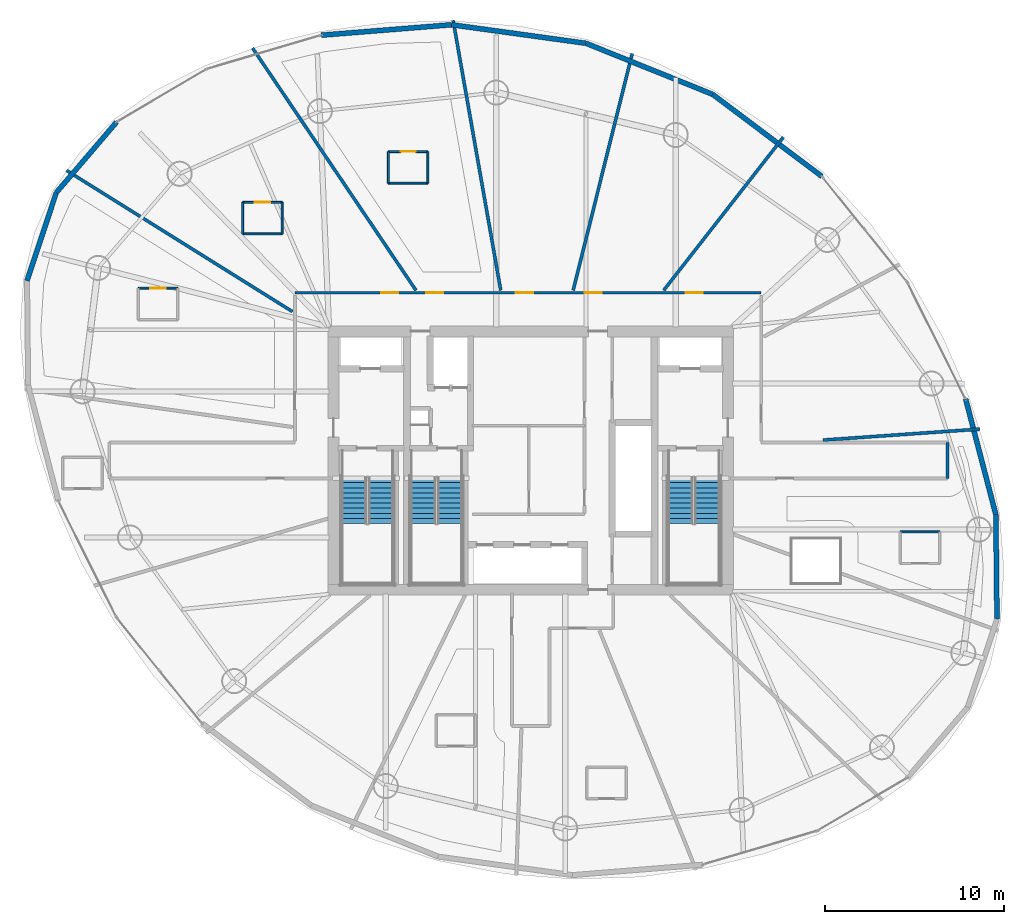
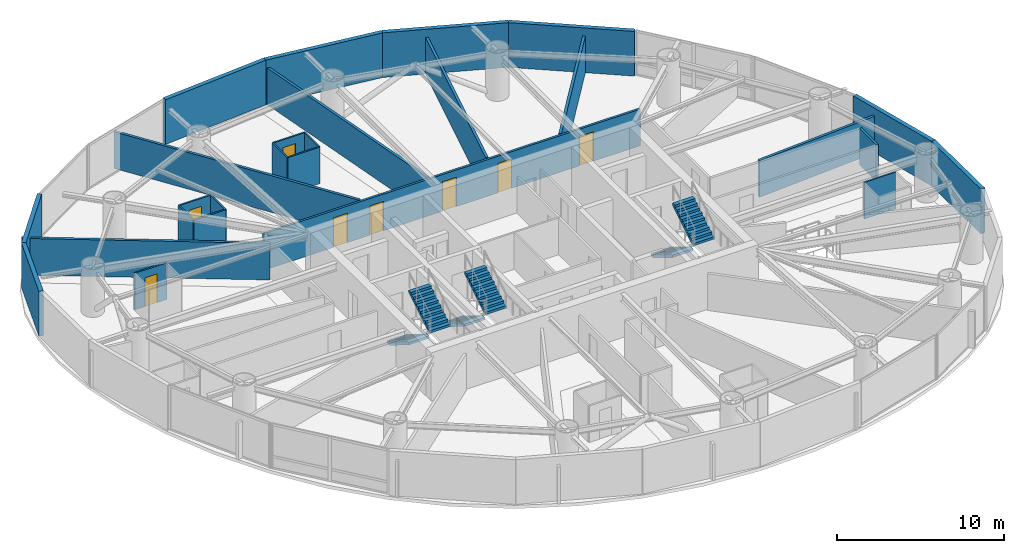
# One storey, part 20 of 24: 26 walls, 8 doors, 6 stair flights, 8 openings, 3 elements without a shape of their own.
"""IFC4 building model written with IfcOpenShell, lengths in metres."""

import ifcopenshell
import ifcopenshell.guid

model = None  # the IFC model being written
_history = None  # IfcOwnerHistory: only IFC2X3 demands one
_inside = {}  # id of a spatial element -> (the spatial element, [elements in it])
_under = {}  # id of a project, library or spatial element -> (it, [spatial elements below it])
_declared = {}  # id of a project -> (the project, [libraries it declares])
_typed = {}  # id of a type object -> (the type object, [elements of that type])
_made_of = {}  # id of a material, layer set ... -> (it, [elements and type objects made of it])


def new_model(schema):
    """Start an empty IFC model of exactly this schema.

    Asked for "IFC4X3", IfcOpenShell would pick the latest addendum, in which some entities
    have other attributes; the version numbers below select the first issue.
    IFC2X3 requires an IfcOwnerHistory on every rooted entity: one is made here for all.
    """
    global model, _history
    if schema == "IFC4X3":
        model = ifcopenshell.file(schema_version=(4, 3, 0, 0))
    else:
        model = ifcopenshell.file(schema=schema)
    _inside.clear()
    _under.clear()
    _declared.clear()
    _typed.clear()
    _made_of.clear()
    _history = None
    if model.schema == "IFC2X3":
        org = make("IfcOrganization", Name="unknown")
        user = make(
            "IfcPersonAndOrganization",
            ThePerson=make("IfcPerson", FamilyName="unknown"),
            TheOrganization=org,
        )
        app = make(
            "IfcApplication",
            ApplicationDeveloper=org,
            Version="unknown",
            ApplicationFullName="unknown",
            ApplicationIdentifier="unknown",
        )
        _history = make(
            "IfcOwnerHistory",
            OwningUser=user,
            OwningApplication=app,
            ChangeAction="ADDED",
            CreationDate=0,
        )
    return model


def make(cls, **values):
    """One entity of the class cls with the attributes given. An attribute that is None is left unset."""
    return model.create_entity(
        cls, **{name: value for name, value in values.items() if value is not None}
    )


def rooted(cls, **values):
    """An entity with a GlobalId (a new one), such as an element, a storey or a relation."""
    return make(cls, GlobalId=ifcopenshell.guid.new(), OwnerHistory=_history, **values)


def si_unit(unit_type, name, prefix=None):
    """IfcSIUnit, for example si_unit("LENGTHUNIT", "METRE", prefix="MILLI")."""
    return make("IfcSIUnit", UnitType=unit_type, Prefix=prefix, Name=name)


def assignment(units):
    """IfcUnitAssignment: the units of a project."""
    return None if units is None else make("IfcUnitAssignment", Units=units)


def point(xyz):
    """IfcCartesianPoint."""
    return None if xyz is None else make("IfcCartesianPoint", Coordinates=xyz)


def direction(xyz):
    """IfcDirection."""
    return None if xyz is None else make("IfcDirection", DirectionRatios=xyz)


def frame(location, z_axis=None, x_axis=None):
    """IfcAxis2Placement3D, a coordinate frame: its origin and axes. An axis left out is left unset."""
    return make(
        "IfcAxis2Placement3D",
        Location=point(location),
        Axis=direction(z_axis),
        RefDirection=direction(x_axis),
    )


def frame_2d(location, x_axis=None):
    """IfcAxis2Placement2D, a coordinate frame in the plane: its origin and x axis."""
    return make(
        "IfcAxis2Placement2D", Location=point(location), RefDirection=direction(x_axis)
    )


def origin():
    """The frame at (0, 0, 0) with its axes left unset."""
    return frame((0.0, 0.0, 0.0))


def place(relative_to, where):
    """IfcLocalPlacement: puts the frame where relative to a parent placement (None: the world)."""
    return make(
        "IfcLocalPlacement", PlacementRelTo=relative_to, RelativePlacement=where
    )


def context(
    kind, dimensions, precision=None, world=None, true_north=None, identifier=None
):
    """IfcGeometricRepresentationContext, for example the 3D "Model" context."""
    return make(
        "IfcGeometricRepresentationContext",
        ContextIdentifier=identifier,
        ContextType=kind,
        CoordinateSpaceDimension=dimensions,
        Precision=precision,
        WorldCoordinateSystem=world,
        TrueNorth=true_north,
    )


def subcontext(parent, identifier, kind, view, scale=None):
    """IfcGeometricRepresentationSubContext, for example "Body" below "Model"."""
    return make(
        "IfcGeometricRepresentationSubContext",
        ContextIdentifier=identifier,
        ContextType=kind,
        ParentContext=parent,
        TargetScale=scale,
        TargetView=view,
    )


def project(units=None, contexts=None):
    """IfcProject with its units and contexts."""
    return rooted(
        "IfcProject",
        Name="project",
        RepresentationContexts=contexts,
        UnitsInContext=assignment(units),
    )


def spatial(cls, under=None, at=None, **own):
    """A site, building, storey or space (cls), placed at a placement, below another one or the project."""
    s = rooted(cls, ObjectPlacement=at, **own)
    if under is not None:
        _under.setdefault(under.id(), (under, []))[1].append(s)
    return s


def polyline(points):
    """IfcPolyline through the points."""
    return make("IfcPolyline", Points=[point(p) for p in points])


def profile(cls, at=None, kind="AREA", **sizes):
    """A parametric profile (cls). Its sizes go by their IFC names, for example OverallWidth=200.0."""
    return make(cls, ProfileType=kind, Position=at, **sizes)


def rectangle(**sizes):
    """IfcRectangleProfileDef."""
    return profile("IfcRectangleProfileDef", **sizes)


def outline(outer, holes=None, kind="AREA"):
    """IfcArbitraryClosedProfileDef: a profile drawn as a closed curve; with holes, ...WithVoids."""
    if holes is None:
        return make("IfcArbitraryClosedProfileDef", ProfileType=kind, OuterCurve=outer)
    return make(
        "IfcArbitraryProfileDefWithVoids",
        ProfileType=kind,
        OuterCurve=outer,
        InnerCurves=holes,
    )


def extrude(swept, where, along, depth):
    """IfcExtrudedAreaSolid: the profile swept, set in the frame where, extruded along a direction by depth."""
    return make(
        "IfcExtrudedAreaSolid",
        SweptArea=swept,
        Position=where,
        ExtrudedDirection=direction(along),
        Depth=depth,
    )


def shape(context_of_items, identifier, shape_type, items):
    """IfcShapeRepresentation: the items that make up one representation, for example the "Body"."""
    return make(
        "IfcShapeRepresentation",
        ContextOfItems=context_of_items,
        RepresentationIdentifier=identifier,
        RepresentationType=shape_type,
        Items=items,
    )


def material(Name=None, Category=None):
    """IfcMaterial."""
    return make("IfcMaterial", Name=Name, Category=Category)


def layer(
    of_material, thickness, ventilated=None, Name=None, Category=None, Priority=None
):
    """IfcMaterialLayer: one layer of a wall or slab, of a material (None: an air gap)."""
    return make(
        "IfcMaterialLayer",
        Material=of_material,
        LayerThickness=thickness,
        IsVentilated=ventilated,
        Name=Name,
        Category=Category,
        Priority=Priority,
    )


def layer_set(layers, Name=None):
    """IfcMaterialLayerSet."""
    return make("IfcMaterialLayerSet", MaterialLayers=layers, LayerSetName=Name)


def made_of(thing, what):
    """Note that an element or type object is made of a material, layer set ...; save() writes the relation."""
    if what is not None:
        _made_of.setdefault(what.id(), (what, []))[1].append(thing)
    return thing


def type_object(cls, material=None, **own):
    """A type object (cls), such as IfcWallType, which elements share."""
    return made_of(rooted(cls, **own), material)


def element(
    cls,
    number,
    at=None,
    inside=None,
    cuts=None,
    type_object=None,
    material=None,
    context=None,
    identifier="Body",
    shape_type=None,
    held_by="IfcProductDefinitionShape",
    body=None,
    shapes=None,
    **own,
):
    """One element of the class cls, such as IfcWall. Its Tag is "e" and its number.

    at: its placement. inside: the storey or other place that contains it. cuts: it is an
    opening in that element (IfcRelVoidsElement). A single representation is given by context,
    identifier, shape_type and body (its items); several are given by shapes. held_by: the class
    of the entity that holds the representations. save() writes the other relations.
    """
    e = rooted(cls, Tag="e%d" % number, ObjectPlacement=at, **own)
    if body is not None:
        shapes = [shape(context, identifier, shape_type, body)]
    if shapes is not None:
        e.Representation = make(held_by, Representations=shapes)
    if inside is not None:
        _inside.setdefault(inside.id(), (inside, []))[1].append(e)
    if cuts is not None:
        rooted(
            "IfcRelVoidsElement", RelatingBuildingElement=cuts, RelatedOpeningElement=e
        )
    if type_object is not None:
        _typed.setdefault(type_object.id(), (type_object, []))[1].append(e)
    return made_of(e, material)


def fill(opening, filler):
    """IfcRelFillsElement: the door or window that sits in an opening."""
    return rooted(
        "IfcRelFillsElement",
        RelatingOpeningElement=opening,
        RelatedBuildingElement=filler,
    )


def aggregate(whole, parts):
    """IfcRelAggregates: a whole, such as a stair, and the parts it consists of."""
    return rooted("IfcRelAggregates", RelatingObject=whole, RelatedObjects=parts)


def save(model, path):
    """Write the relations noted so far, then the file.

    IfcRelAggregates (storeys below a building ...), IfcRelContainedInSpatialStructure (elements
    in a storey), IfcRelDefinesByType, IfcRelAssociatesMaterial and IfcRelDeclares: one each for
    every whole, place, type object, material and project.
    """
    for whole, parts in _under.values():
        aggregate(whole, parts)
    for where, things in _inside.values():
        rooted(
            "IfcRelContainedInSpatialStructure",
            RelatedElements=things,
            RelatingStructure=where,
        )
    for kind, things in _typed.values():
        rooted("IfcRelDefinesByType", RelatedObjects=things, RelatingType=kind)
    for what, things in _made_of.values():
        rooted("IfcRelAssociatesMaterial", RelatedObjects=things, RelatingMaterial=what)
    for by, libraries in _declared.values():
        rooted("IfcRelDeclares", RelatingContext=by, RelatedDefinitions=libraries)
    model.write(path)


model = new_model("IFC4")

# Units and contexts
model_context = context("Model", 3, precision=1e-05, world=origin(), true_north=direction((0.0, 1.0)))
body_context = subcontext(model_context, "Body", "Model", "MODEL_VIEW")
ifc_project = project(units=[si_unit("LENGTHUNIT", "METRE"), si_unit("AREAUNIT", "SQUARE_METRE"), si_unit("VOLUMEUNIT", "CUBIC_METRE"), si_unit("PLANEANGLEUNIT", "RADIAN"), si_unit("MASSUNIT", "GRAM", prefix="KILO")], contexts=[model_context])

# Site, building, storey
site_placement = place(None, origin())
site = spatial("IfcSite", under=ifc_project, at=site_placement, CompositionType="ELEMENT")
building_placement = place(site_placement, origin())
building = spatial("IfcBuilding", under=site, at=building_placement, Name="Bramvorn Convention Spire", CompositionType="ELEMENT")
storey_placement = place(building_placement, frame((0.0, 0.0, 148.300048828125)))
storey = spatial("IfcBuildingStorey", under=building, at=storey_placement, Name="L37", CompositionType="ELEMENT", Elevation=148.300048828125)

# Walls
ifc_material_1 = material(Name="Precast Concrete C40/50 with Bronze Terracotta Rainscreen", Category="masonry")
ifc_layer_1 = layer(ifc_material_1, 0.300048828125)
ifc_layer_set_1 = layer_set([ifc_layer_1], Name="Precast Concrete C40/50 with Bronze Terracotta Rainscreen - WL-EXT-BRONZE-300")
wall_type_1 = type_object("IfcWallType", Name="WL-EXT-BRONZE-300", PredefinedType="SOLIDWALL", material=ifc_layer_set_1)
wall_1_placement = place(storey_placement, frame((63.935302734375, 22.976318359375, 0.0), z_axis=(0.0, 0.0, 1.0), x_axis=(0.010314349205, -0.999946805685, 0.0)))
element("IfcWall", 1, at=wall_1_placement, inside=storey, type_object=wall_type_1, Name="L37 expressed bronze Gothic lancet pier wall 02", PredefinedType="SOLIDWALL", context=body_context, shape_type="SweptSolid", body=[
    extrude(rectangle(XDim=5.82275390625, YDim=0.280029296875, at=frame_2d((2.911376953125, 0.0))), origin(), (0.0, 0.0, 1.0), 3.260009765625),
])
wall_2_placement = place(storey_placement, frame((62.2509765625, 29.425048828125, 0.0), z_axis=(0.0, 0.0, 1.0), x_axis=(0.252709673809, -0.967542154515, 0.0)))
element("IfcWall", 2, at=wall_2_placement, inside=storey, type_object=wall_type_1, Name="L37 expressed bronze Gothic lancet pier wall 03", PredefinedType="SOLIDWALL", context=body_context, shape_type="SweptSolid", body=[
    extrude(rectangle(XDim=6.6650390625, YDim=0.280029296875, at=frame_2d((3.33251953125, 0.0))), origin(), (0.0, 0.0, 1.0), 3.260009765625),
])
wall_3_placement = place(storey_placement, frame((48.1484375, 46.41455078125, 0.0), z_axis=(0.0, 0.0, 1.0), x_axis=(0.799187740933, -0.601081487606, 0.0)))
element("IfcWall", 3, at=wall_3_placement, inside=storey, type_object=wall_type_1, Name="L37 expressed bronze Gothic lancet pier wall 06", PredefinedType="SOLIDWALL", context=body_context, shape_type="SweptSolid", body=[
    extrude(rectangle(XDim=7.6171875, YDim=0.280029296875, at=frame_2d((3.80859375, 0.0))), origin(), (0.0, 0.0, 1.0), 3.260009765625),
])
wall_4_placement = place(storey_placement, frame((41.083251953125, 49.26220703125, 0.0), z_axis=(0.0, 0.0, 1.0), x_axis=(0.927496504314, -0.373831826474, 0.0)))
element("IfcWall", 4, at=wall_4_placement, inside=storey, type_object=wall_type_1, Name="L37 expressed bronze Gothic lancet pier wall 07", PredefinedType="SOLIDWALL", context=body_context, shape_type="SweptSolid", body=[
    extrude(rectangle(XDim=7.617431640625, YDim=0.280029296875, at=frame_2d((3.80859375, 0.0))), origin(), (0.0, 0.0, 1.0), 3.260009765625),
])
wall_5_placement = place(storey_placement, frame((33.585205078125, 50.296142578125, 0.0), z_axis=(0.0, 0.0, 1.0), x_axis=(0.99062609674, -0.136601377953, 0.0)))
element("IfcWall", 5, at=wall_5_placement, inside=storey, type_object=wall_type_1, Name="L37 expressed bronze Gothic lancet pier wall 08", PredefinedType="SOLIDWALL", context=body_context, shape_type="SweptSolid", body=[
    extrude(rectangle(XDim=7.569091796875, YDim=0.280029296875, at=frame_2d((3.78466796875, 0.0))), origin(), (0.0, 0.0, 1.0), 3.260009765625),
])
wall_6_placement = place(storey_placement, frame((26.31640625, 49.71435546875, 0.0), z_axis=(0.0, 0.0, 1.0), x_axis=(0.996812190565, 0.079783812519, 0.0)))
element("IfcWall", 6, at=wall_6_placement, inside=storey, type_object=wall_type_1, Name="L37 expressed bronze Gothic lancet pier wall 09", PredefinedType="SOLIDWALL", context=body_context, shape_type="SweptSolid", body=[
    extrude(rectangle(XDim=7.2919921875, YDim=0.280029296875, at=frame_2d((3.64599609375, 0.0))), origin(), (0.0, 0.0, 1.0), 3.260009765625),
])
for number, where, z_axis, x_axis, name in (
    (7, (11.54541015625, 40.936767578125, 0.0), (0.0, 0.0, 1.0), (0.649846662097, 0.760065336508, 0.0), "L37 expressed bronze Gothic lancet pier wall 12"),
    (8, (9.914794921875, 36.026123046875, 0.0), (0.0, 0.0, 1.0), (0.315137621835, 0.949045983767, 0.0), "L37 expressed bronze Gothic lancet pier wall 13"),
):
    element("IfcWall", number, at=place(storey_placement, frame(where, z_axis=z_axis, x_axis=x_axis)), inside=storey, type_object=wall_type_1, Name=name, PredefinedType="SOLIDWALL", context=body_context, shape_type="SweptSolid", body=[
        extrude(rectangle(XDim=5.17431640625, YDim=0.280029296875, at=frame_2d((2.587158203125, 0.0))), origin(), (0.0, 0.0, 1.0), 3.260009765625),
    ])
ifc_material_2 = material(Name="Lightweight En-Suite & Wet-Wall Partition", Category="gypsum")
ifc_layer_2 = layer(ifc_material_2, 0.110107421875)
ifc_layer_set_2 = layer_set([ifc_layer_2], Name="Lightweight En-Suite & Wet-Wall Partition - WL-PART-110")
wall_type_2 = type_object("IfcWallType", Name="WL-PART-110", PredefinedType="PARTITIONING", material=ifc_layer_set_2)
wall_7_placement = place(storey_placement, frame((30.0595703125, 41.468505859375, 0.0), z_axis=(0.0, 0.0, 1.0), x_axis=(1.0, 0.0, 0.0)))
element("IfcWall", 9, at=wall_7_placement, inside=storey, type_object=wall_type_2, Name="Hotel Suite 3705 en-suite south wall", PredefinedType="PARTITIONING", context=body_context, shape_type="SweptSolid", body=[
    extrude(rectangle(XDim=2.199951171875, YDim=0.110107421875, at=frame_2d((1.10009765625, 0.0))), origin(), (0.0, 0.0, 1.0), 2.675048828125),
])

# Wall, opening, door
wall_8_placement = place(storey_placement, frame((30.0595703125, 43.228515625, 0.0), z_axis=(0.0, 0.0, 1.0), x_axis=(1.0, 0.0, 0.0)))
wall_8 = element("IfcWall", 10, at=wall_8_placement, inside=storey, type_object=wall_type_2, Name="Hotel Suite 3705 en-suite north wall", PredefinedType="PARTITIONING", context=body_context, shape_type="SweptSolid", body=[
    extrude(rectangle(XDim=2.199951171875, YDim=0.110107421875, at=frame_2d((1.10009765625, 0.0))), origin(), (0.0, 0.0, 1.0), 2.675048828125),
])
opening_1_placement = place(wall_8_placement, frame((0.679931640625, 0.0, 0.0)))
opening_1 = element("IfcOpeningElement", 11, at=opening_1_placement, cuts=wall_8, Name="Opening DI-085", PredefinedType="OPENING", context=body_context, shape_type="SweptSolid", body=[
    extrude(rectangle(XDim=0.85009765625, YDim=2.10009765625, at=frame_2d((0.425048828125, 1.050048828125))), frame((0.0, 0.06494140625, 0.0), z_axis=(0.0, -1.0, 0.0), x_axis=(1.0, 0.0, 0.0)), (0.0, 0.0, 1.0), 0.130126953125),
])
ifc_material_3 = material(Name="En-Suite & Restroom Privacy Door", Category="wood")
door_type_1 = type_object("IfcDoorType", Name="DR-INT-850", OperationType="NOTDEFINED", PredefinedType="DOOR", material=ifc_material_3)
door_1_placement = place(opening_1_placement, origin())
door_1 = element("IfcDoor", 12, at=door_1_placement, inside=storey, type_object=door_type_1, Name="Hotel Suite 3705 En-Suite Bathroom door", OperationType="SINGLE_SWING_LEFT", OverallHeight=2.10009765625, OverallWidth=0.85009765625, PredefinedType="DOOR", context=body_context, shape_type="SweptSolid", body=[
    extrude(rectangle(XDim=0.85009765625, YDim=2.10009765625, at=frame_2d((0.425048828125, 1.050048828125))), frame((0.0, 0.02490234375, 0.0), z_axis=(0.0, -1.0, 0.0), x_axis=(1.0, 0.0, 0.0)), (0.0, 0.0, 1.0), 0.050048828125),
])
fill(opening_1, door_1)

# Walls
for number, where, z_axis, x_axis, name in (
    (13, (30.0595703125, 41.468505859375, 0.0), (0.0, 0.0, 1.0), (0.0, 1.0, 0.0), "Hotel Suite 3705 en-suite west wall"),
    (14, (32.259521484375, 41.468505859375, 0.0), (0.0, 0.0, 1.0), (0.0, 1.0, 0.0), "Hotel Suite 3705 en-suite east wall"),
):
    element("IfcWall", number, at=place(storey_placement, frame(where, z_axis=z_axis, x_axis=x_axis)), inside=storey, type_object=wall_type_2, Name=name, PredefinedType="PARTITIONING", context=body_context, shape_type="SweptSolid", body=[
        extrude(rectangle(XDim=1.760009765625, YDim=0.110107421875, at=frame_2d((0.8798828125, 0.0))), origin(), (0.0, 0.0, 1.0), 2.675048828125),
    ])
wall_9_placement = place(storey_placement, frame((21.941162109375, 38.630615234375, 0.0), z_axis=(0.0, 0.0, 1.0), x_axis=(1.0, 0.0, 0.0)))
element("IfcWall", 15, at=wall_9_placement, inside=storey, type_object=wall_type_2, Name="Hotel Suite 3706 en-suite south wall", PredefinedType="PARTITIONING", context=body_context, shape_type="SweptSolid", body=[
    extrude(rectangle(XDim=2.199951171875, YDim=0.110107421875, at=frame_2d((1.10009765625, 0.0))), origin(), (0.0, 0.0, 1.0), 2.675048828125),
])

# Wall, opening, door
wall_10_placement = place(storey_placement, frame((21.941162109375, 40.390625, 0.0), z_axis=(0.0, 0.0, 1.0), x_axis=(1.0, 0.0, 0.0)))
wall_10 = element("IfcWall", 16, at=wall_10_placement, inside=storey, type_object=wall_type_2, Name="Hotel Suite 3706 en-suite north wall", PredefinedType="PARTITIONING", context=body_context, shape_type="SweptSolid", body=[
    extrude(rectangle(XDim=2.199951171875, YDim=0.110107421875, at=frame_2d((1.10009765625, 0.0))), origin(), (0.0, 0.0, 1.0), 2.675048828125),
])
opening_2_placement = place(wall_10_placement, frame((0.679931640625, 0.0, 0.0)))
opening_2 = element("IfcOpeningElement", 17, at=opening_2_placement, cuts=wall_10, Name="Opening DI-085", PredefinedType="OPENING", context=body_context, shape_type="SweptSolid", body=[
    extrude(rectangle(XDim=0.85009765625, YDim=2.10009765625, at=frame_2d((0.425048828125, 1.050048828125))), frame((0.0, 0.06494140625, 0.0), z_axis=(0.0, -1.0, 0.0), x_axis=(1.0, 0.0, 0.0)), (0.0, 0.0, 1.0), 0.130126953125),
])
door_2_placement = place(opening_2_placement, origin())
door_2 = element("IfcDoor", 18, at=door_2_placement, inside=storey, type_object=door_type_1, Name="Hotel Suite 3706 En-Suite Bathroom door", OperationType="SINGLE_SWING_LEFT", OverallHeight=2.10009765625, OverallWidth=0.85009765625, PredefinedType="DOOR", context=body_context, shape_type="SweptSolid", body=[
    extrude(rectangle(XDim=0.85009765625, YDim=2.10009765625, at=frame_2d((0.425048828125, 1.050048828125))), frame((0.0, 0.02490234375, 0.0), z_axis=(0.0, -1.0, 0.0), x_axis=(1.0, 0.0, 0.0)), (0.0, 0.0, 1.0), 0.050048828125),
])
fill(opening_2, door_2)

# Walls
for number, where, z_axis, x_axis, name in (
    (19, (21.941162109375, 38.630615234375, 0.0), (0.0, 0.0, 1.0), (0.0, 1.0, 0.0), "Hotel Suite 3706 en-suite west wall"),
    (20, (24.14111328125, 38.630615234375, 0.0), (0.0, 0.0, 1.0), (0.0, 1.0, 0.0), "Hotel Suite 3706 en-suite east wall"),
):
    element("IfcWall", number, at=place(storey_placement, frame(where, z_axis=z_axis, x_axis=x_axis)), inside=storey, type_object=wall_type_2, Name=name, PredefinedType="PARTITIONING", context=body_context, shape_type="SweptSolid", body=[
        extrude(rectangle(XDim=1.760009765625, YDim=0.110107421875, at=frame_2d((0.8798828125, 0.0))), origin(), (0.0, 0.0, 1.0), 2.675048828125),
    ])

# Wall, opening, door
wall_11_placement = place(storey_placement, frame((16.11669921875, 35.61376953125, 0.0), z_axis=(0.0, 0.0, 1.0), x_axis=(1.0, 0.0, 0.0)))
wall_11 = element("IfcWall", 21, at=wall_11_placement, inside=storey, type_object=wall_type_2, Name="Hotel Suite 3707 en-suite north wall", PredefinedType="PARTITIONING", context=body_context, shape_type="SweptSolid", body=[
    extrude(rectangle(XDim=2.2001953125, YDim=0.110107421875, at=frame_2d((1.10009765625, 0.0))), origin(), (0.0, 0.0, 1.0), 2.675048828125),
])
opening_3_placement = place(wall_11_placement, frame((0.679931640625, 0.0, 0.0)))
opening_3 = element("IfcOpeningElement", 22, at=opening_3_placement, cuts=wall_11, Name="Opening DI-085", PredefinedType="OPENING", context=body_context, shape_type="SweptSolid", body=[
    extrude(rectangle(XDim=0.85009765625, YDim=2.10009765625, at=frame_2d((0.425048828125, 1.050048828125))), frame((0.0, 0.06494140625, 0.0), z_axis=(0.0, -1.0, 0.0), x_axis=(1.0, 0.0, 0.0)), (0.0, 0.0, 1.0), 0.130126953125),
])
door_3_placement = place(opening_3_placement, origin())
door_3 = element("IfcDoor", 23, at=door_3_placement, inside=storey, type_object=door_type_1, Name="Hotel Suite 3707 En-Suite Bathroom door", OperationType="SINGLE_SWING_LEFT", OverallHeight=2.10009765625, OverallWidth=0.85009765625, PredefinedType="DOOR", context=body_context, shape_type="SweptSolid", body=[
    extrude(rectangle(XDim=0.85009765625, YDim=2.10009765625, at=frame_2d((0.425048828125, 1.050048828125))), frame((0.0, 0.02490234375, 0.0), z_axis=(0.0, -1.0, 0.0), x_axis=(1.0, 0.0, 0.0)), (0.0, 0.0, 1.0), 0.050048828125),
])
fill(opening_3, door_3)

# Wall
wall_12_placement = place(storey_placement, frame((58.593505859375, 22.017578125, 0.0), z_axis=(0.0, 0.0, 1.0), x_axis=(1.0, 0.0, 0.0)))
element("IfcWall", 24, at=wall_12_placement, inside=storey, type_object=wall_type_2, Name="Hotel Suite 3715 en-suite north wall", PredefinedType="PARTITIONING", context=body_context, shape_type="SweptSolid", body=[
    extrude(rectangle(XDim=2.199951171875, YDim=0.110107421875, at=frame_2d((1.10009765625, 0.0))), origin(), (0.0, 0.0, 1.0), 2.675048828125),
])

# Wall, openings, doors
ifc_material_4 = material(Name="Acoustic Metal-Stud Tenant/Corridor Partition", Category="gypsum")
ifc_layer_3 = layer(ifc_material_4, 0.14990234375)
ifc_layer_set_3 = layer_set([ifc_layer_3], Name="Acoustic Metal-Stud Tenant/Corridor Partition - WL-PART-150")
wall_type_3 = type_object("IfcWallType", Name="WL-PART-150", PredefinedType="PARTITIONING", material=ifc_layer_set_3)
wall_13_placement = place(storey_placement, frame((24.85009765625, 35.35009765625, 0.0), z_axis=(0.0, 0.0, 1.0), x_axis=(1.0, 0.0, 0.0)))
wall_13 = element("IfcWall", 25, at=wall_13_placement, inside=storey, type_object=wall_type_3, Name="L37 North gallery wall", PredefinedType="PARTITIONING", context=body_context, shape_type="SweptSolid", body=[
    extrude(rectangle(XDim=26.0, YDim=0.14990234375, at=frame_2d((13.0, 0.0))), origin(), (0.0, 0.0, 1.0), 2.675048828125),
])
opening_4_placement = place(wall_13_placement, frame((21.7890625, 0.0, 0.0)))
opening_4 = element("IfcOpeningElement", 26, at=opening_4_placement, cuts=wall_13, Name="Opening DH-095", PredefinedType="OPENING", context=body_context, shape_type="SweptSolid", body=[
    extrude(rectangle(XDim=0.949951171875, YDim=2.14990234375, at=frame_2d((0.47509765625, 1.074951171875))), frame((0.0, 0.0849609375, 0.0), z_axis=(0.0, -1.0, 0.0), x_axis=(1.0, 0.0, 0.0)), (0.0, 0.0, 1.0), 0.169921875),
])
opening_5_placement = place(wall_13_placement, frame((16.1513671875, 0.0, 0.0)))
opening_5 = element("IfcOpeningElement", 27, at=opening_5_placement, cuts=wall_13, Name="Opening DH-095", PredefinedType="OPENING", context=body_context, shape_type="SweptSolid", body=[
    extrude(rectangle(XDim=0.949951171875, YDim=2.14990234375, at=frame_2d((0.47509765625, 1.074951171875))), frame((0.0, 0.0849609375, 0.0), z_axis=(0.0, -1.0, 0.0), x_axis=(1.0, 0.0, 0.0)), (0.0, 0.0, 1.0), 0.169921875),
])
opening_6_placement = place(wall_13_placement, frame((12.326904296875, 0.0, 0.0)))
opening_6 = element("IfcOpeningElement", 28, at=opening_6_placement, cuts=wall_13, Name="Opening DH-095", PredefinedType="OPENING", context=body_context, shape_type="SweptSolid", body=[
    extrude(rectangle(XDim=0.949951171875, YDim=2.14990234375, at=frame_2d((0.47509765625, 1.074951171875))), frame((0.0, 0.0849609375, 0.0), z_axis=(0.0, -1.0, 0.0), x_axis=(1.0, 0.0, 0.0)), (0.0, 0.0, 1.0), 0.169921875),
])
opening_7_placement = place(wall_13_placement, frame((7.312255859375, 0.0, 0.0)))
opening_7 = element("IfcOpeningElement", 29, at=opening_7_placement, cuts=wall_13, Name="Opening DH-095", PredefinedType="OPENING", context=body_context, shape_type="SweptSolid", body=[
    extrude(rectangle(XDim=0.949951171875, YDim=2.14990234375, at=frame_2d((0.47509765625, 1.074951171875))), frame((0.0, 0.0849609375, 0.0), z_axis=(0.0, -1.0, 0.0), x_axis=(1.0, 0.0, 0.0)), (0.0, 0.0, 1.0), 0.169921875),
])
opening_8_placement = place(wall_13_placement, frame((4.819091796875, 0.0, 0.0)))
opening_8 = element("IfcOpeningElement", 30, at=opening_8_placement, cuts=wall_13, Name="Opening DH-095", PredefinedType="OPENING", context=body_context, shape_type="SweptSolid", body=[
    extrude(rectangle(XDim=0.949951171875, YDim=2.14990234375, at=frame_2d((0.47509765625, 1.074951171875))), frame((0.0, 0.0849609375, 0.0), z_axis=(0.0, -1.0, 0.0), x_axis=(1.0, 0.0, 0.0)), (0.0, 0.0, 1.0), 0.169921875),
])
ifc_material_5 = material(Name="Solid-Core Acoustic Guestroom Entry Door", Category="wood")
door_type_2 = type_object("IfcDoorType", Name="DR-HOTEL-950", OperationType="NOTDEFINED", PredefinedType="DOOR", material=ifc_material_5)
door_4_placement = place(opening_4_placement, origin())
door_4 = element("IfcDoor", 31, at=door_4_placement, inside=storey, type_object=door_type_2, Name="L37 Hospitality Lounge 2 door", OperationType="SINGLE_SWING_RIGHT", OverallHeight=2.14990234375, OverallWidth=0.949951171875, PredefinedType="DOOR", context=body_context, shape_type="SweptSolid", body=[
    extrude(rectangle(XDim=0.949951171875, YDim=2.14990234375, at=frame_2d((0.47509765625, 1.074951171875))), frame((0.0, 0.02490234375, 0.0), z_axis=(0.0, -1.0, 0.0), x_axis=(1.0, 0.0, 0.0)), (0.0, 0.0, 1.0), 0.050048828125),
])
fill(opening_4, door_4)
door_5_placement = place(opening_5_placement, origin())
door_5 = element("IfcDoor", 32, at=door_5_placement, inside=storey, type_object=door_type_2, Name="L37 Hospitality Lounge 3 door", OperationType="SINGLE_SWING_RIGHT", OverallHeight=2.14990234375, OverallWidth=0.949951171875, PredefinedType="DOOR", context=body_context, shape_type="SweptSolid", body=[
    extrude(rectangle(XDim=0.949951171875, YDim=2.14990234375, at=frame_2d((0.47509765625, 1.074951171875))), frame((0.0, 0.02490234375, 0.0), z_axis=(0.0, -1.0, 0.0), x_axis=(1.0, 0.0, 0.0)), (0.0, 0.0, 1.0), 0.050048828125),
])
fill(opening_5, door_5)
door_6_placement = place(opening_6_placement, origin())
door_6 = element("IfcDoor", 33, at=door_6_placement, inside=storey, type_object=door_type_2, Name="L37 Hospitality Lounge 4 door", OperationType="SINGLE_SWING_RIGHT", OverallHeight=2.14990234375, OverallWidth=0.949951171875, PredefinedType="DOOR", context=body_context, shape_type="SweptSolid", body=[
    extrude(rectangle(XDim=0.949951171875, YDim=2.14990234375, at=frame_2d((0.47509765625, 1.074951171875))), frame((0.0, 0.02490234375, 0.0), z_axis=(0.0, -1.0, 0.0), x_axis=(1.0, 0.0, 0.0)), (0.0, 0.0, 1.0), 0.050048828125),
])
fill(opening_6, door_6)
door_7_placement = place(opening_7_placement, origin())
door_7 = element("IfcDoor", 34, at=door_7_placement, inside=storey, type_object=door_type_2, Name="Hotel Suite 3705 entry door", OperationType="SINGLE_SWING_RIGHT", OverallHeight=2.14990234375, OverallWidth=0.949951171875, PredefinedType="DOOR", context=body_context, shape_type="SweptSolid", body=[
    extrude(rectangle(XDim=0.949951171875, YDim=2.14990234375, at=frame_2d((0.47509765625, 1.074951171875))), frame((0.0, 0.02490234375, 0.0), z_axis=(0.0, -1.0, 0.0), x_axis=(1.0, 0.0, 0.0)), (0.0, 0.0, 1.0), 0.050048828125),
])
fill(opening_7, door_7)
door_8_placement = place(opening_8_placement, origin())
door_8 = element("IfcDoor", 35, at=door_8_placement, inside=storey, type_object=door_type_2, Name="Hotel Suite 3706 entry door", OperationType="SINGLE_SWING_RIGHT", OverallHeight=2.14990234375, OverallWidth=0.949951171875, PredefinedType="DOOR", context=body_context, shape_type="SweptSolid", body=[
    extrude(rectangle(XDim=0.949951171875, YDim=2.14990234375, at=frame_2d((0.47509765625, 1.074951171875))), frame((0.0, 0.02490234375, 0.0), z_axis=(0.0, -1.0, 0.0), x_axis=(1.0, 0.0, 0.0)), (0.0, 0.0, 1.0), 0.050048828125),
])
fill(opening_8, door_8)

# Walls
wall_14_placement = place(storey_placement, frame((61.24072265625, 25.0, 0.0), z_axis=(0.0, 0.0, 1.0), x_axis=(0.0, 1.0, 0.0)))
element("IfcWall", 36, at=wall_14_placement, inside=storey, type_object=wall_type_3, Name="L37 East wing spine end wall", PredefinedType="PARTITIONING", context=body_context, shape_type="SweptSolid", body=[
    extrude(rectangle(XDim=2.0, YDim=0.14990234375, at=frame_2d((1.0, 0.0))), origin(), (0.0, 0.0, 1.0), 2.675048828125),
])
ifc_material_6 = material(Name="Double-Stud Acoustic Hotel/Suite Partition", Category="gypsum")
ifc_layer_4 = layer(ifc_material_6, 0.175048828125)
ifc_layer_set_4 = layer_set([ifc_layer_4], Name="Double-Stud Acoustic Hotel/Suite Partition - WL-PART-175")
wall_type_4 = type_object("IfcWallType", Name="WL-PART-175", PredefinedType="PARTITIONING", material=ifc_layer_set_4)
wall_15_placement = place(storey_placement, frame((54.302734375, 27.139892578125, 0.0), z_axis=(0.0, 0.0, 1.0), x_axis=(0.997562576326, 0.069777548777, 0.0)))
element("IfcWall", 37, at=wall_15_placement, inside=storey, type_object=wall_type_4, Name="L37 Guestroom demising wall 1", PredefinedType="PARTITIONING", context=body_context, shape_type="SweptSolid", body=[
    extrude(rectangle(XDim=8.760986328125, YDim=0.175048828125, at=frame_2d((4.38037109375, 0.0))), origin(), (0.0, 0.0, 1.0), 2.675048828125),
])
wall_16_placement = place(storey_placement, frame((45.414306640625, 35.489990234375, 0.0), z_axis=(0.0, 0.0, 1.0), x_axis=(0.615657151534, 0.788014131704, 0.0)))
element("IfcWall", 38, at=wall_16_placement, inside=storey, type_object=wall_type_4, Name="L37 Guestroom demising wall 3", PredefinedType="PARTITIONING", context=body_context, shape_type="SweptSolid", body=[
    extrude(rectangle(XDim=10.841796875, YDim=0.175048828125, at=frame_2d((5.4208984375, 0.0))), origin(), (0.0, 0.0, 1.0), 2.675048828125),
])
wall_17_placement = place(storey_placement, frame((40.3662109375, 35.489990234375, 0.0), z_axis=(0.0, 0.0, 1.0), x_axis=(0.241919334029, 0.970296364944, 0.0)))
element("IfcWall", 39, at=wall_17_placement, inside=storey, type_object=wall_type_4, Name="L37 Guestroom demising wall 4", PredefinedType="PARTITIONING", context=body_context, shape_type="SweptSolid", body=[
    extrude(rectangle(XDim=13.60986328125, YDim=0.175048828125, at=frame_2d((6.804931640625, 0.0))), origin(), (0.0, 0.0, 1.0), 2.675048828125),
])
wall_18_placement = place(storey_placement, frame((36.32666015625, 35.489990234375, 0.0), z_axis=(0.0, 0.0, 1.0), x_axis=(-0.173651426597, 0.984807180133, 0.0)))
element("IfcWall", 40, at=wall_18_placement, inside=storey, type_object=wall_type_4, Name="L37 Guestroom demising wall 5", PredefinedType="PARTITIONING", context=body_context, shape_type="SweptSolid", body=[
    extrude(rectangle(XDim=15.289306640625, YDim=0.175048828125, at=frame_2d((7.64453125, 0.0))), origin(), (0.0, 0.0, 1.0), 2.675048828125),
])
wall_19_placement = place(storey_placement, frame((31.598876953125, 35.489990234375, 0.0), z_axis=(0.0, 0.0, 1.0), x_axis=(-0.55918931687, 0.829039991736, 0.0)))
element("IfcWall", 41, at=wall_19_placement, inside=storey, type_object=wall_type_4, Name="L37 Guestroom demising wall 6", PredefinedType="PARTITIONING", context=body_context, shape_type="SweptSolid", body=[
    extrude(rectangle(XDim=16.298583984375, YDim=0.175048828125, at=frame_2d((8.1494140625, 0.0))), origin(), (0.0, 0.0, 1.0), 2.675048828125),
])
wall_20_placement = place(storey_placement, frame((24.7099609375, 34.304443359375, 0.0), z_axis=(0.0, 0.0, 1.0), x_axis=(-0.848041694206, 0.529929509357, 0.0)))
element("IfcWall", 42, at=wall_20_placement, inside=storey, type_object=wall_type_4, Name="L37 Guestroom demising wall 7", PredefinedType="PARTITIONING", context=body_context, shape_type="SweptSolid", body=[
    extrude(rectangle(XDim=14.85595703125, YDim=0.175048828125, at=frame_2d((7.427978515625, 0.0))), origin(), (0.0, 0.0, 1.0), 2.675048828125),
])

# Stair, stair flights
ifc_material_7 = material(Name="Concrete C40/50 Precast Stair", Category="concrete")
stair_type = type_object("IfcStairType", Name="ST-TOWER-1550", PredefinedType="HALF_TURN_STAIR", material=ifc_material_7)
stair_1_placement = place(storey_placement, origin())
stair_1 = element("IfcStair", 43, at=stair_1_placement, inside=storey, type_object=stair_type, Name="L37 Protected Exit Stair ST1", PredefinedType="HALF_TURN_STAIR")
ifc_material_8 = material(Name="Concrete C40/50 Precast Stair Flight", Category="concrete")
stair_flight_type = type_object("IfcStairFlightType", Name="STF-TOWER-1550", PredefinedType="STRAIGHT", material=ifc_material_8)
stair_flight_1_placement = place(storey_placement, frame((28.155029296875, 25.050048828125, 0.0), z_axis=(0.0, 0.0, 1.0), x_axis=(0.0, -1.0, 0.0)))
stair_flight_1 = element("IfcStairFlight", 44, at=stair_flight_1_placement, type_object=stair_flight_type, Name="ST1 flight 1", NumberOfRisers=10, NumberOfTreads=9, PredefinedType="STRAIGHT", RiserHeight=0.175, TreadLength=0.285, context=body_context, shape_type="SweptSolid", body=[
    extrude(outline(polyline([(0.0, 0.0), (0.0, 0.175048828125), (0.284912109375, 0.175048828125), (0.284912109375, 0.35009765625), (0.570068359375, 0.35009765625), (0.570068359375, 0.52490234375), (0.85498046875, 0.52490234375), (0.85498046875, 0.699951171875), (1.139892578125, 0.699951171875), (1.139892578125, 0.875), (1.425048828125, 0.875), (1.425048828125, 1.050048828125), (1.7099609375, 1.050048828125), (1.7099609375, 1.22509765625), (1.9951171875, 1.22509765625), (1.9951171875, 1.39990234375), (2.280029296875, 1.39990234375), (2.280029296875, 1.574951171875), (2.56494140625, 1.574951171875), (2.56494140625, 1.75), (2.56494140625, 1.399169921875), (0.286376953125, 0.0), (0.0, 0.0)])), frame((0.0, 0.705078125, 0.0), z_axis=(0.0, -1.0, 0.0), x_axis=(1.0, 0.0, 0.0)), (0.0, 0.0, 1.0), 1.409912109375),
])
stair_flight_2_placement = place(storey_placement, frame((29.64501953125, 22.485107421875, 1.75), z_axis=(0.0, 0.0, 1.0), x_axis=(0.0, 1.0, 0.0)))
stair_flight_2 = element("IfcStairFlight", 45, at=stair_flight_2_placement, type_object=stair_flight_type, Name="ST1 flight 2", NumberOfRisers=10, NumberOfTreads=9, PredefinedType="STRAIGHT", RiserHeight=0.175, TreadLength=0.285, context=body_context, shape_type="SweptSolid", body=[
    extrude(outline(polyline([(0.0, 0.0), (0.0, 0.175048828125), (0.284912109375, 0.175048828125), (0.284912109375, 0.35009765625), (0.570068359375, 0.35009765625), (0.570068359375, 0.52490234375), (0.85498046875, 0.52490234375), (0.85498046875, 0.699951171875), (1.139892578125, 0.699951171875), (1.139892578125, 0.875), (1.425048828125, 0.875), (1.425048828125, 1.050048828125), (1.7099609375, 1.050048828125), (1.7099609375, 1.22509765625), (1.9951171875, 1.22509765625), (1.9951171875, 1.39990234375), (2.280029296875, 1.39990234375), (2.280029296875, 1.574951171875), (2.56494140625, 1.574951171875), (2.56494140625, 1.75), (2.56494140625, 1.399169921875), (0.286376953125, 0.0), (0.0, 0.0)])), frame((0.0, 0.705078125, 0.0), z_axis=(0.0, -1.0, 0.0), x_axis=(1.0, 0.0, 0.0)), (0.0, 0.0, 1.0), 1.409912109375),
])
aggregate(stair_1, [stair_flight_1, stair_flight_2])

stair_2_placement = place(storey_placement, origin())
stair_2 = element("IfcStair", 46, at=stair_2_placement, inside=storey, type_object=stair_type, Name="L37 Protected Exit Stair ST2", PredefinedType="HALF_TURN_STAIR")
stair_flight_3_placement = place(storey_placement, frame((46.35498046875, 25.050048828125, 0.0), z_axis=(0.0, 0.0, 1.0), x_axis=(0.0, -1.0, 0.0)))
stair_flight_3 = element("IfcStairFlight", 47, at=stair_flight_3_placement, type_object=stair_flight_type, Name="ST2 flight 1", NumberOfRisers=10, NumberOfTreads=9, PredefinedType="STRAIGHT", RiserHeight=0.175, TreadLength=0.285, context=body_context, shape_type="SweptSolid", body=[
    extrude(outline(polyline([(0.0, 0.0), (0.0, 0.175048828125), (0.284912109375, 0.175048828125), (0.284912109375, 0.35009765625), (0.570068359375, 0.35009765625), (0.570068359375, 0.52490234375), (0.85498046875, 0.52490234375), (0.85498046875, 0.699951171875), (1.139892578125, 0.699951171875), (1.139892578125, 0.875), (1.425048828125, 0.875), (1.425048828125, 1.050048828125), (1.7099609375, 1.050048828125), (1.7099609375, 1.22509765625), (1.9951171875, 1.22509765625), (1.9951171875, 1.39990234375), (2.280029296875, 1.39990234375), (2.280029296875, 1.574951171875), (2.56494140625, 1.574951171875), (2.56494140625, 1.75), (2.56494140625, 1.399169921875), (0.286376953125, 0.0), (0.0, 0.0)])), frame((0.0, 0.705078125, 0.0), z_axis=(0.0, -1.0, 0.0), x_axis=(1.0, 0.0, 0.0)), (0.0, 0.0, 1.0), 1.409912109375),
])
stair_flight_4_placement = place(storey_placement, frame((47.844970703125, 22.485107421875, 1.75), z_axis=(0.0, 0.0, 1.0), x_axis=(0.0, 1.0, 0.0)))
stair_flight_4 = element("IfcStairFlight", 48, at=stair_flight_4_placement, type_object=stair_flight_type, Name="ST2 flight 2", NumberOfRisers=10, NumberOfTreads=9, PredefinedType="STRAIGHT", RiserHeight=0.175, TreadLength=0.285, context=body_context, shape_type="SweptSolid", body=[
    extrude(outline(polyline([(0.0, 0.0), (0.0, 0.175048828125), (0.284912109375, 0.175048828125), (0.284912109375, 0.35009765625), (0.570068359375, 0.35009765625), (0.570068359375, 0.52490234375), (0.85498046875, 0.52490234375), (0.85498046875, 0.699951171875), (1.139892578125, 0.699951171875), (1.139892578125, 0.875), (1.425048828125, 0.875), (1.425048828125, 1.050048828125), (1.7099609375, 1.050048828125), (1.7099609375, 1.22509765625), (1.9951171875, 1.22509765625), (1.9951171875, 1.39990234375), (2.280029296875, 1.39990234375), (2.280029296875, 1.574951171875), (2.56494140625, 1.574951171875), (2.56494140625, 1.75), (2.56494140625, 1.399169921875), (0.286376953125, 0.0), (0.0, 0.0)])), frame((0.0, 0.705078125, 0.0), z_axis=(0.0, -1.0, 0.0), x_axis=(1.0, 0.0, 0.0)), (0.0, 0.0, 1.0), 1.409912109375),
])
aggregate(stair_2, [stair_flight_3, stair_flight_4])

stair_3_placement = place(storey_placement, origin())
stair_3 = element("IfcStair", 49, at=stair_3_placement, inside=storey, type_object=stair_type, Name="L37 Protected Exit Stair ST3", PredefinedType="HALF_TURN_STAIR")
stair_flight_5_placement = place(storey_placement, frame((32.0048828125, 25.050048828125, 0.0), z_axis=(0.0, 0.0, 1.0), x_axis=(0.0, -1.0, 0.0)))
stair_flight_5 = element("IfcStairFlight", 50, at=stair_flight_5_placement, type_object=stair_flight_type, Name="ST3 flight 1", NumberOfRisers=10, NumberOfTreads=9, PredefinedType="STRAIGHT", RiserHeight=0.175, TreadLength=0.285, context=body_context, shape_type="SweptSolid", body=[
    extrude(outline(polyline([(0.0, 0.0), (0.0, 0.175048828125), (0.284912109375, 0.175048828125), (0.284912109375, 0.35009765625), (0.570068359375, 0.35009765625), (0.570068359375, 0.52490234375), (0.85498046875, 0.52490234375), (0.85498046875, 0.699951171875), (1.139892578125, 0.699951171875), (1.139892578125, 0.875), (1.425048828125, 0.875), (1.425048828125, 1.050048828125), (1.7099609375, 1.050048828125), (1.7099609375, 1.22509765625), (1.9951171875, 1.22509765625), (1.9951171875, 1.39990234375), (2.280029296875, 1.39990234375), (2.280029296875, 1.574951171875), (2.56494140625, 1.574951171875), (2.56494140625, 1.75), (2.56494140625, 1.399169921875), (0.286376953125, 0.0), (0.0, 0.0)])), frame((0.0, 0.705078125, 0.0), z_axis=(0.0, -1.0, 0.0), x_axis=(1.0, 0.0, 0.0)), (0.0, 0.0, 1.0), 1.409912109375),
])
stair_flight_6_placement = place(storey_placement, frame((33.4951171875, 22.485107421875, 1.75), z_axis=(0.0, 0.0, 1.0), x_axis=(0.0, 1.0, 0.0)))
stair_flight_6 = element("IfcStairFlight", 51, at=stair_flight_6_placement, type_object=stair_flight_type, Name="ST3 flight 2", NumberOfRisers=10, NumberOfTreads=9, PredefinedType="STRAIGHT", RiserHeight=0.175, TreadLength=0.285, context=body_context, shape_type="SweptSolid", body=[
    extrude(outline(polyline([(0.0, 0.0), (0.0, 0.175048828125), (0.284912109375, 0.175048828125), (0.284912109375, 0.35009765625), (0.570068359375, 0.35009765625), (0.570068359375, 0.52490234375), (0.85498046875, 0.52490234375), (0.85498046875, 0.699951171875), (1.139892578125, 0.699951171875), (1.139892578125, 0.875), (1.425048828125, 0.875), (1.425048828125, 1.050048828125), (1.7099609375, 1.050048828125), (1.7099609375, 1.22509765625), (1.9951171875, 1.22509765625), (1.9951171875, 1.39990234375), (2.280029296875, 1.39990234375), (2.280029296875, 1.574951171875), (2.56494140625, 1.574951171875), (2.56494140625, 1.75), (2.56494140625, 1.399169921875), (0.286376953125, 0.0), (0.0, 0.0)])), frame((0.0, 0.705078125, 0.0), z_axis=(0.0, -1.0, 0.0), x_axis=(1.0, 0.0, 0.0)), (0.0, 0.0, 1.0), 1.409912109375),
])
aggregate(stair_3, [stair_flight_5, stair_flight_6])

save(model, "model.ifc")
